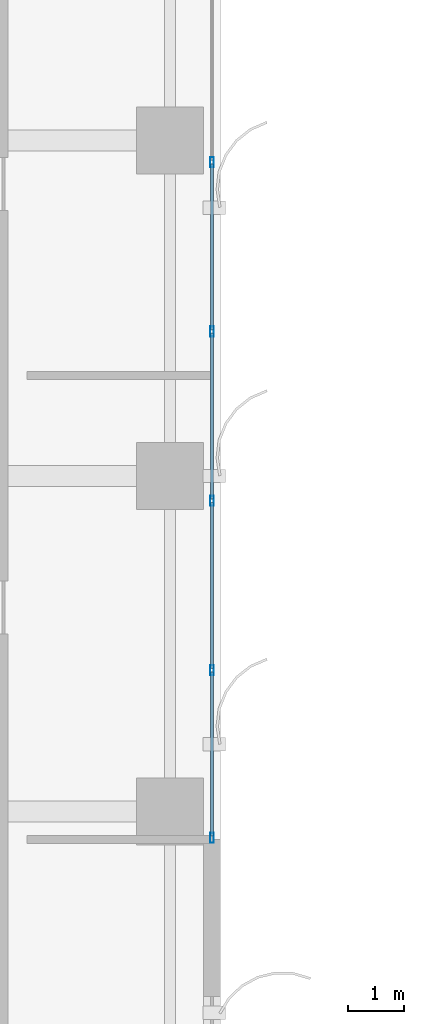
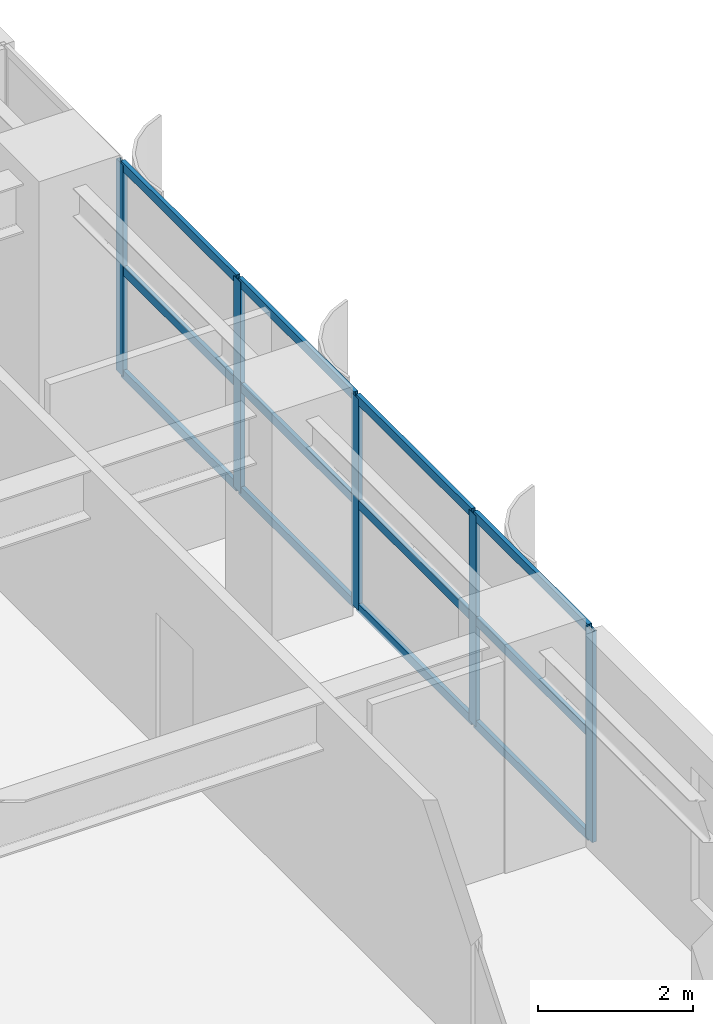
# One storey, part 7 of 26: 17 members, 1 element without a shape of its own.
"""IFC4 building model written with IfcOpenShell, lengths in metres."""

from ifc_helpers import new_model, si_unit, direction, frame, origin, origin_2d, place, context, subcontext, project, spatial, hollow_rectangle, extrude, source, transform, mapped, material, layer, layer_set, material_profile, profile_set, type_object, element, aggregate, save


model = new_model("IFC4")

# Units and contexts
model_context = context("Model", 3, precision=1e-05, world=origin(), true_north=direction((0.0, 1.0)))
body_context = subcontext(model_context, "Body", "Model", "MODEL_VIEW")
ifc_project = project(units=[si_unit("LENGTHUNIT", "METRE"), si_unit("AREAUNIT", "SQUARE_METRE"), si_unit("VOLUMEUNIT", "CUBIC_METRE"), si_unit("PLANEANGLEUNIT", "RADIAN"), si_unit("MASSUNIT", "GRAM", prefix="KILO")], contexts=[model_context])

# Site, building, storey
site_placement = place(None, origin())
site = spatial("IfcSite", under=ifc_project, at=site_placement, CompositionType="ELEMENT")
building_placement = place(site_placement, origin())
building = spatial("IfcBuilding", under=site, at=building_placement, Name="Khoralis Quay Care Tower", CompositionType="ELEMENT")
storey_placement = place(building_placement, frame((0.0, 0.0, 26.10009765625)))
storey = spatial("IfcBuildingStorey", under=building, at=storey_placement, Name="L06", CompositionType="ELEMENT", Elevation=26.10009765625)

# Curtain wall, members
ifc_material = material(Name="Pale anodised aluminium", Category="aluminium")
ifc_layer = layer(ifc_material, 0.179931640625)
ifc_layer_set = layer_set([ifc_layer], Name="Pale anodised aluminium")
curtain_wall_type = type_object("IfcCurtainWallType", Name="CW-SYS-Z1", PredefinedType="NOTDEFINED", material=ifc_layer_set)
curtain_wall_placement = place(storey_placement, origin())
curtain_wall = element("IfcCurtainWall", 1, at=curtain_wall_placement, inside=storey, type_object=curtain_wall_type, Name="L06 Unitised Curtain Wall CW-L06-P1-E5", PredefinedType="NOTDEFINED")
ifc_material_profile_1 = material_profile(ifc_material, hollow_rectangle(XDim=0.06494140625, YDim=0.179931640625, WallThickness=0.00390625, at=origin_2d()), Name="Pale anodised aluminium")
ifc_profile_set_1 = profile_set([ifc_material_profile_1], Name="Pale anodised aluminium")
member_type_1 = type_object("IfcMemberType", Name="CW-MUL-180", PredefinedType="MULLION", material=ifc_profile_set_1)
shared_shape_1 = source(origin(), body_context, "Body", "SweptSolid", [
    extrude(hollow_rectangle(XDim=0.06494140625, YDim=0.179931640625, WallThickness=0.00390625, at=origin_2d()), origin(), (0.0, 0.0, 1.0), 3.31982421875),
])
member_1_placement = place(storey_placement, frame((47.85009765625, 17.530029296875, 0.0), z_axis=(0.0, 0.0, 1.0), x_axis=(-1.0, 0.0, 0.0)))
member_1 = element("IfcMember", 2, at=member_1_placement, type_object=member_type_1, Name="CW1 mullion 1", PredefinedType="MULLION", context=body_context, shape_type="MappedRepresentation", body=[
    mapped(shared_shape_1, transform((0.0, 0.0, 0.0), scale=1.0)),
])
member_2_placement = place(storey_placement, frame((47.85009765625, 20.528076171875, 0.0), z_axis=(0.0, 0.0, 1.0), x_axis=(-1.0, 0.0, 0.0)))
member_2 = element("IfcMember", 3, at=member_2_placement, type_object=member_type_1, Name="CW1 mullion 2", PredefinedType="MULLION", context=body_context, shape_type="MappedRepresentation", body=[
    mapped(shared_shape_1, transform((0.0, 0.0, 0.0), scale=1.0)),
])
member_3_placement = place(storey_placement, frame((47.85009765625, 23.555908203125, 0.0), z_axis=(0.0, 0.0, 1.0), x_axis=(-1.0, 0.0, 0.0)))
member_3 = element("IfcMember", 4, at=member_3_placement, type_object=member_type_1, Name="CW1 mullion 3", PredefinedType="MULLION", context=body_context, shape_type="MappedRepresentation", body=[
    mapped(shared_shape_1, transform((0.0, 0.0, 0.0), scale=1.0)),
])
member_4_placement = place(storey_placement, frame((47.85009765625, 26.583984375, 0.0), z_axis=(0.0, 0.0, 1.0), x_axis=(-1.0, 0.0, 0.0)))
member_4 = element("IfcMember", 5, at=member_4_placement, type_object=member_type_1, Name="CW1 mullion 4", PredefinedType="MULLION", context=body_context, shape_type="MappedRepresentation", body=[
    mapped(shared_shape_1, transform((0.0, 0.0, 0.0), scale=1.0)),
])
member_5_placement = place(storey_placement, frame((47.85009765625, 29.612060546875, 0.0), z_axis=(0.0, 0.0, 1.0), x_axis=(-1.0, 0.0, 0.0)))
member_5 = element("IfcMember", 6, at=member_5_placement, type_object=member_type_1, Name="CW1 mullion 5", PredefinedType="MULLION", context=body_context, shape_type="MappedRepresentation", body=[
    mapped(shared_shape_1, transform((0.0, 0.0, 0.0), scale=1.0)),
])
ifc_material_profile_2 = material_profile(ifc_material, hollow_rectangle(XDim=0.06005859375, YDim=0.139892578125, WallThickness=0.00390625, at=origin_2d()), Name="Pale anodised aluminium")
ifc_profile_set_2 = profile_set([ifc_material_profile_2], Name="Pale anodised aluminium")
member_type_2 = type_object("IfcMemberType", Name="CW-TRN-140", PredefinedType="USERDEFINED", material=ifc_profile_set_2)
shared_shape_2 = source(origin(), body_context, "Body", "SweptSolid", [
    extrude(hollow_rectangle(XDim=0.06005859375, YDim=0.139892578125, WallThickness=0.00390625, at=origin_2d()), origin(), (0.0, 0.0, 1.0), 2.93798828125),
])
member_6_placement = place(storey_placement, frame((47.85009765625, 17.56005859375, 0.02978515625), z_axis=(0.0, 1.0, 0.0), x_axis=(-1.0, 0.0, 0.0)))
member_6 = element("IfcMember", 7, at=member_6_placement, type_object=member_type_2, Name="CW1 transom 1.1", ObjectType="TRANSOM", PredefinedType="USERDEFINED", context=body_context, shape_type="MappedRepresentation", body=[
    mapped(shared_shape_2, transform((0.0, 0.0, 0.0), scale=1.0)),
])
member_7_placement = place(storey_placement, frame((47.85009765625, 17.56005859375, 1.659912109375), z_axis=(0.0, 1.0, 0.0), x_axis=(-1.0, 0.0, 0.0)))
member_7 = element("IfcMember", 8, at=member_7_placement, type_object=member_type_2, Name="CW1 transom 1.2", ObjectType="TRANSOM", PredefinedType="USERDEFINED", context=body_context, shape_type="MappedRepresentation", body=[
    mapped(shared_shape_2, transform((0.0, 0.0, 0.0), scale=1.0)),
])
member_8_placement = place(storey_placement, frame((47.85009765625, 17.56005859375, 3.289794921875), z_axis=(0.0, 1.0, 0.0), x_axis=(-1.0, 0.0, 0.0)))
member_8 = element("IfcMember", 9, at=member_8_placement, type_object=member_type_2, Name="CW1 transom 1.3", ObjectType="TRANSOM", PredefinedType="USERDEFINED", context=body_context, shape_type="MappedRepresentation", body=[
    mapped(shared_shape_2, transform((0.0, 0.0, 0.0), scale=1.0)),
])
shared_shape_3 = source(origin(), body_context, "Body", "SweptSolid", [
    extrude(hollow_rectangle(XDim=0.06005859375, YDim=0.139892578125, WallThickness=0.00390625, at=origin_2d()), origin(), (0.0, 0.0, 1.0), 2.9677734375),
])
member_9_placement = place(storey_placement, frame((47.85009765625, 20.55810546875, 0.02978515625), z_axis=(0.0, 1.0, 0.0), x_axis=(-1.0, 0.0, 0.0)))
member_9 = element("IfcMember", 10, at=member_9_placement, type_object=member_type_2, Name="CW1 transom 2.1", ObjectType="TRANSOM", PredefinedType="USERDEFINED", context=body_context, shape_type="MappedRepresentation", body=[
    mapped(shared_shape_3, transform((0.0, 0.0, 0.0), scale=1.0)),
])
member_10_placement = place(storey_placement, frame((47.85009765625, 20.55810546875, 1.659912109375), z_axis=(0.0, 1.0, 0.0), x_axis=(-1.0, 0.0, 0.0)))
member_10 = element("IfcMember", 11, at=member_10_placement, type_object=member_type_2, Name="CW1 transom 2.2", ObjectType="TRANSOM", PredefinedType="USERDEFINED", context=body_context, shape_type="MappedRepresentation", body=[
    mapped(shared_shape_3, transform((0.0, 0.0, 0.0), scale=1.0)),
])
member_11_placement = place(storey_placement, frame((47.85009765625, 20.55810546875, 3.289794921875), z_axis=(0.0, 1.0, 0.0), x_axis=(-1.0, 0.0, 0.0)))
member_11 = element("IfcMember", 12, at=member_11_placement, type_object=member_type_2, Name="CW1 transom 2.3", ObjectType="TRANSOM", PredefinedType="USERDEFINED", context=body_context, shape_type="MappedRepresentation", body=[
    mapped(shared_shape_3, transform((0.0, 0.0, 0.0), scale=1.0)),
])
shared_shape_4 = source(origin(), body_context, "Body", "SweptSolid", [
    extrude(hollow_rectangle(XDim=0.06005859375, YDim=0.139892578125, WallThickness=0.00390625, at=origin_2d()), origin(), (0.0, 0.0, 1.0), 2.968017578125),
])
member_12_placement = place(storey_placement, frame((47.85009765625, 23.5859375, 0.02978515625), z_axis=(0.0, 1.0, 0.0), x_axis=(-1.0, 0.0, 0.0)))
member_12 = element("IfcMember", 13, at=member_12_placement, type_object=member_type_2, Name="CW1 transom 3.1", ObjectType="TRANSOM", PredefinedType="USERDEFINED", context=body_context, shape_type="MappedRepresentation", body=[
    mapped(shared_shape_4, transform((0.0, 0.0, 0.0), scale=1.0)),
])
member_13_placement = place(storey_placement, frame((47.85009765625, 23.5859375, 1.659912109375), z_axis=(0.0, 1.0, 0.0), x_axis=(-1.0, 0.0, 0.0)))
member_13 = element("IfcMember", 14, at=member_13_placement, type_object=member_type_2, Name="CW1 transom 3.2", ObjectType="TRANSOM", PredefinedType="USERDEFINED", context=body_context, shape_type="MappedRepresentation", body=[
    mapped(shared_shape_4, transform((0.0, 0.0, 0.0), scale=1.0)),
])
member_14_placement = place(storey_placement, frame((47.85009765625, 23.5859375, 3.289794921875), z_axis=(0.0, 1.0, 0.0), x_axis=(-1.0, 0.0, 0.0)))
member_14 = element("IfcMember", 15, at=member_14_placement, type_object=member_type_2, Name="CW1 transom 3.3", ObjectType="TRANSOM", PredefinedType="USERDEFINED", context=body_context, shape_type="MappedRepresentation", body=[
    mapped(shared_shape_4, transform((0.0, 0.0, 0.0), scale=1.0)),
])
member_15_placement = place(storey_placement, frame((47.85009765625, 26.614013671875, 0.02978515625), z_axis=(0.0, 1.0, 0.0), x_axis=(-1.0, 0.0, 0.0)))
member_15 = element("IfcMember", 16, at=member_15_placement, type_object=member_type_2, Name="CW1 transom 4.1", ObjectType="TRANSOM", PredefinedType="USERDEFINED", context=body_context, shape_type="MappedRepresentation", body=[
    mapped(shared_shape_4, transform((0.0, 0.0, 0.0), scale=1.0)),
])
member_16_placement = place(storey_placement, frame((47.85009765625, 26.614013671875, 1.659912109375), z_axis=(0.0, 1.0, 0.0), x_axis=(-1.0, 0.0, 0.0)))
member_16 = element("IfcMember", 17, at=member_16_placement, type_object=member_type_2, Name="CW1 transom 4.2", ObjectType="TRANSOM", PredefinedType="USERDEFINED", context=body_context, shape_type="MappedRepresentation", body=[
    mapped(shared_shape_4, transform((0.0, 0.0, 0.0), scale=1.0)),
])
member_17_placement = place(storey_placement, frame((47.85009765625, 26.614013671875, 3.289794921875), z_axis=(0.0, 1.0, 0.0), x_axis=(-1.0, 0.0, 0.0)))
member_17 = element("IfcMember", 18, at=member_17_placement, type_object=member_type_2, Name="CW1 transom 4.3", ObjectType="TRANSOM", PredefinedType="USERDEFINED", context=body_context, shape_type="MappedRepresentation", body=[
    mapped(shared_shape_4, transform((0.0, 0.0, 0.0), scale=1.0)),
])
aggregate(curtain_wall, [member_1, member_2, member_3, member_4, member_5, member_6, member_7, member_8, member_9, member_10, member_11, member_12, member_13, member_14, member_15, member_16, member_17])

save(model, "model.ifc")
